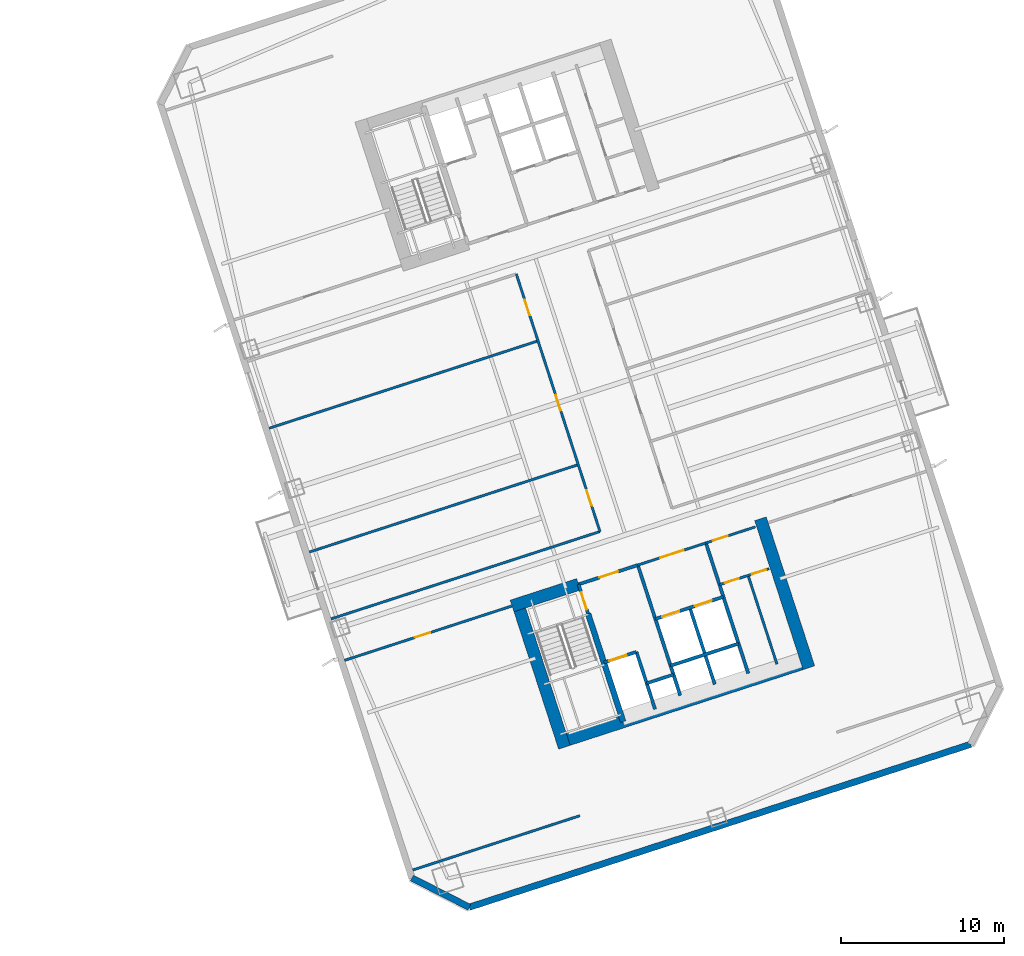
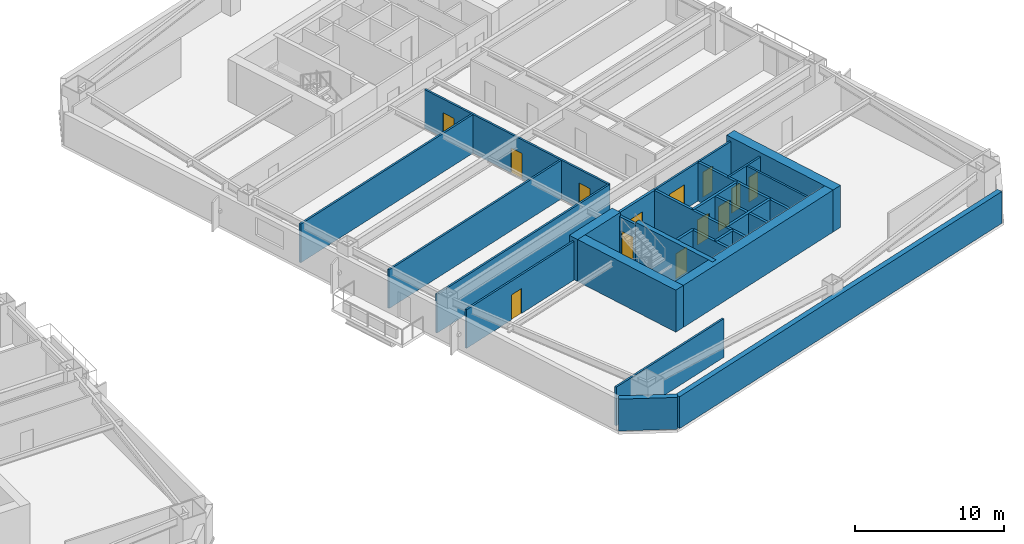
# One storey, part 7 of 18: 27 walls, 13 doors, 13 openings.
"""IFC4 building model written with IfcOpenShell, lengths in metres."""

from ifc_helpers import new_model, si_unit, direction, frame, frame_2d, origin, place, context, subcontext, project, spatial, rectangle, extrude, material, layer, layer_set, type_object, element, fill, save


model = new_model("IFC4")

# Units and contexts
model_context = context("Model", 3, precision=1e-05, world=origin(), true_north=direction((0.0, 1.0)))
body_context = subcontext(model_context, "Body", "Model", "MODEL_VIEW")
ifc_project = project(units=[si_unit("LENGTHUNIT", "METRE"), si_unit("AREAUNIT", "SQUARE_METRE"), si_unit("VOLUMEUNIT", "CUBIC_METRE"), si_unit("PLANEANGLEUNIT", "RADIAN"), si_unit("MASSUNIT", "GRAM", prefix="KILO")], contexts=[model_context])

# Site, building, storey
site_placement = place(None, origin())
site = spatial("IfcSite", under=ifc_project, at=site_placement, CompositionType="ELEMENT")
building_placement = place(site_placement, origin())
building = spatial("IfcBuilding", under=site, at=building_placement, Name="Qiaolan Cultural Towers", CompositionType="ELEMENT")
storey_placement = place(building_placement, frame((0.0, 0.0, 67.85009765625)))
storey = spatial("IfcBuildingStorey", under=building, at=storey_placement, Name="L16", CompositionType="ELEMENT", Elevation=67.85009765625)

# Walls
ifc_material_1 = material(Name="Concrete C50", Category="concrete")
ifc_layer_1 = layer(ifc_material_1, 0.35009765625)
ifc_layer_set_1 = layer_set([ifc_layer_1], Name="Concrete C50")
wall_type_1 = type_object("IfcWallType", Name="WL-CORE-350", PredefinedType="SHEAR", material=ifc_layer_set_1)
wall_1_placement = place(storey_placement, frame((90.486328125, 20.59423828125, 0.0), z_axis=(0.0, 0.0, 1.0), x_axis=(0.309020428229, -0.951055400562, 0.0)))
element("IfcWall", 1, at=wall_1_placement, inside=storey, type_object=wall_type_1, Name="L16 T2-CS Stair Core Dividing Web", PredefinedType="SHEAR", context=body_context, shape_type="SweptSolid", body=[
    extrude(rectangle(XDim=6.97998046875, YDim=0.35009765625, at=frame_2d((3.489990234375, 0.0))), origin(), (0.0, 0.0, 1.0), 3.449951171875),
])
ifc_material_2 = material(Name="Concrete C60", Category="concrete")
ifc_layer_2 = layer(ifc_material_2, 0.75)
ifc_layer_set_2 = layer_set([ifc_layer_2], Name="Concrete C60")
wall_type_2 = type_object("IfcWallType", Name="WL-CORE-750", PredefinedType="SHEAR", material=ifc_layer_set_2)
wall_2_placement = place(storey_placement, frame((88.55859375, 12.628662109375, 0.0), z_axis=(0.0, 0.0, 1.0), x_axis=(0.951056072937, 0.309018358888, 0.0)))
element("IfcWall", 2, at=wall_2_placement, inside=storey, type_object=wall_type_2, Name="L16 T2-CS Outer Core Shear Wall", PredefinedType="SHEAR", context=body_context, shape_type="SweptSolid", body=[
    extrude(rectangle(XDim=16.550048828125, YDim=0.75, at=frame_2d((8.27490234375, 0.0))), origin(), (0.0, 0.0, 1.0), 3.449951171875),
])
wall_3_placement = place(storey_placement, frame((86.05517578125, 21.54638671875, 0.0), z_axis=(0.0, 0.0, 1.0), x_axis=(0.309023585745, -0.951054374604, 0.0)))
element("IfcWall", 3, at=wall_3_placement, inside=storey, type_object=wall_type_2, Name="L16 T2-CS West Core Shear Wall", PredefinedType="SHEAR", context=body_context, shape_type="SweptSolid", body=[
    extrude(rectangle(XDim=9.6298828125, YDim=0.75, at=frame_2d((4.81494140625, 0.0))), origin(), (0.0, 0.0, 1.0), 3.449951171875),
])
wall_4_placement = place(storey_placement, frame((101.08203125, 26.428955078125, 0.0), z_axis=(0.0, 0.0, 1.0), x_axis=(0.309016134813, -0.951056795583, 0.0)))
element("IfcWall", 4, at=wall_4_placement, inside=storey, type_object=wall_type_2, Name="L16 T2-CS East Core Shear Wall", PredefinedType="SHEAR", context=body_context, shape_type="SweptSolid", body=[
    extrude(rectangle(XDim=9.630126953125, YDim=0.75, at=frame_2d((4.81494140625, 0.0))), origin(), (0.0, 0.0, 1.0), 3.449951171875),
])
wall_5_placement = place(storey_placement, frame((85.814453125, 21.073974609375, 0.0), z_axis=(0.0, 0.0, 1.0), x_axis=(0.95106580992, 0.308988390074, 0.0)))
element("IfcWall", 5, at=wall_5_placement, inside=storey, type_object=wall_type_2, Name="L16 T2-CS Stair Front Shear Wall", PredefinedType="SHEAR", context=body_context, shape_type="SweptSolid", body=[
    extrude(rectangle(XDim=4.295166015625, YDim=0.75, at=frame_2d((2.1474609375, 0.0))), origin(), (0.0, 0.0, 1.0), 3.449951171875),
])
ifc_material_3 = material(Name="Precast Concrete C50 Honed Stone Pier", Category="masonry")
ifc_layer_3 = layer(ifc_material_3, 0.39990234375)
ifc_layer_set_3 = layer_set([ifc_layer_3], Name="Precast Concrete C50 Honed Stone Pier")
wall_type_3 = type_object("IfcWallType", Name="WL-EXT-PIER-400", PredefinedType="SOLIDWALL", material=ifc_layer_set_3)
wall_6_placement = place(storey_placement, frame((113.997802734375, 12.566650390625, 0.0), z_axis=(0.0, 0.0, 1.0), x_axis=(-0.951055939317, -0.309018770125, 0.0)))
element("IfcWall", 6, at=wall_6_placement, inside=storey, type_object=wall_type_3, Name="L16 East Tower Precast Pier Facade Wall F7", PredefinedType="SOLIDWALL", context=body_context, shape_type="SweptSolid", body=[
    extrude(rectangle(XDim=32.39990234375, YDim=0.39990234375, at=frame_2d((16.199951171875, 0.0))), origin(), (0.0, 0.0, 1.0), 2.60986328125),
])
wall_7_placement = place(storey_placement, frame((83.18359375, 2.554443359375, 0.0), z_axis=(0.0, 0.0, 1.0), x_axis=(-0.890998089617, 0.454007053137, 0.0)))
element("IfcWall", 7, at=wall_7_placement, inside=storey, type_object=wall_type_3, Name="L16 East Tower Precast Pier Facade Wall F8", PredefinedType="SOLIDWALL", context=body_context, shape_type="SweptSolid", body=[
    extrude(rectangle(XDim=3.9599609375, YDim=0.39990234375, at=frame_2d((1.97998046875, 0.0))), origin(), (0.0, 0.0, 1.0), 2.60986328125),
])

# Wall, opening, door
ifc_material_4 = material(Name="Concrete C35 Fire Wall", Category="concrete")
ifc_layer_4 = layer(ifc_material_4, 0.199951171875)
ifc_layer_set_4 = layer_set([ifc_layer_4], Name="Concrete C35 Fire Wall")
wall_type_4 = type_object("IfcWallType", Name="WL-FIRE-200", PredefinedType="PARTITIONING", material=ifc_layer_set_4)
wall_8_placement = place(storey_placement, frame((89.8994140625, 22.401123046875, 0.0), z_axis=(0.0, 0.0, 1.0), x_axis=(0.308932062672, -0.951084108086, 0.0)))
wall_8 = element("IfcWall", 8, at=wall_8_placement, inside=storey, type_object=wall_type_4, Name="L16 T2-CS Smokeproof Stair Entry Wall", PredefinedType="PARTITIONING", context=body_context, shape_type="SweptSolid", body=[
    extrude(rectangle(XDim=1.89990234375, YDim=0.199951171875, at=frame_2d((0.949951171875, 0.0))), origin(), (0.0, 0.0, 1.0), 3.1748046875),
])
opening_1_placement = place(wall_8_placement, frame((0.52001953125, 0.0, 0.0)))
opening_1 = element("IfcOpeningElement", 9, at=opening_1_placement, cuts=wall_8, Name="Opening FD-04", PredefinedType="OPENING", context=body_context, shape_type="SweptSolid", body=[
    extrude(rectangle(XDim=1.10009765625, YDim=2.050048828125, at=frame_2d((0.550048828125, 1.02490234375))), frame((0.0, 0.10986328125, 0.0), z_axis=(0.0, -1.0, 0.0), x_axis=(1.0, 0.0, 0.0)), (0.0, 0.0, 1.0), 0.219970703125),
])
ifc_material_5 = material(Name="Galvanized Steel Command Fire Door", Category="steel")
door_type_1 = type_object("IfcDoorType", Name="DR-FD90-1100", OperationType="NOTDEFINED", PredefinedType="DOOR", material=ifc_material_5)
door_1_placement = place(opening_1_placement, origin())
door_1 = element("IfcDoor", 10, at=door_1_placement, inside=storey, type_object=door_type_1, Name="L16 ST-E1 Smokeproof Stair Fire Door", OperationType="SINGLE_SWING_LEFT", OverallHeight=2.050048828125, OverallWidth=1.10009765625, PredefinedType="DOOR", context=body_context, shape_type="SweptSolid", body=[
    extrude(rectangle(XDim=1.10009765625, YDim=2.050048828125, at=frame_2d((0.550048828125, 1.02490234375))), frame((0.0, 0.02490234375, 0.0), z_axis=(0.0, -1.0, 0.0), x_axis=(1.0, 0.0, 0.0)), (0.0, 0.0, 1.0), 0.050048828125),
])
fill(opening_1, door_1)

# Wall
wall_9_placement = place(storey_placement, frame((93.541748046875, 23.584716796875, 0.0), z_axis=(0.0, 0.0, 1.0), x_axis=(0.309042196757, -0.951048327176, 0.0)))
element("IfcWall", 11, at=wall_9_placement, inside=storey, type_object=wall_type_4, Name="L16 T2-CS Firefighting Zone Wall", PredefinedType="PARTITIONING", context=body_context, shape_type="SweptSolid", body=[
    extrude(rectangle(XDim=8.429931640625, YDim=0.199951171875, at=frame_2d((4.21484375, 0.0))), origin(), (0.0, 0.0, 1.0), 3.1748046875),
])

# Wall, opening, door
wall_10_placement = place(storey_placement, frame((89.8994140625, 22.401123046875, 0.0), z_axis=(0.0, 0.0, 1.0), x_axis=(0.951046716504, 0.309047153403, 0.0)))
wall_10 = element("IfcWall", 12, at=wall_10_placement, inside=storey, type_object=wall_type_4, Name="L16 T2-CS Firefighting Lobby Front Wall", PredefinedType="PARTITIONING", context=body_context, shape_type="SweptSolid", body=[
    extrude(rectangle(XDim=3.829833984375, YDim=0.199951171875, at=frame_2d((1.9150390625, 0.0))), origin(), (0.0, 0.0, 1.0), 3.1748046875),
])
opening_2_placement = place(wall_10_placement, frame((1.35009765625, 0.0, 0.0)))
opening_2 = element("IfcOpeningElement", 13, at=opening_2_placement, cuts=wall_10, Name="Opening FD-03", PredefinedType="OPENING", context=body_context, shape_type="SweptSolid", body=[
    extrude(rectangle(XDim=1.199951171875, YDim=2.050048828125, at=frame_2d((0.60009765625, 1.02490234375))), frame((0.0, 0.10986328125, 0.0), z_axis=(0.0, -1.0, 0.0), x_axis=(1.0, 0.0, 0.0)), (0.0, 0.0, 1.0), 0.219970703125),
])
ifc_material_6 = material(Name="Galvanized Steel Smokeproof Lobby Fire Door", Category="steel")
door_type_2 = type_object("IfcDoorType", Name="DR-FD90-1200", OperationType="NOTDEFINED", PredefinedType="DOOR", material=ifc_material_6)
door_2_placement = place(opening_2_placement, origin())
door_2 = element("IfcDoor", 14, at=door_2_placement, inside=storey, type_object=door_type_2, Name="L16 FFL-E1 Firefighting Lobby Fire Door", OperationType="SINGLE_SWING_LEFT", OverallHeight=2.050048828125, OverallWidth=1.199951171875, PredefinedType="DOOR", context=body_context, shape_type="SweptSolid", body=[
    extrude(rectangle(XDim=1.199951171875, YDim=2.050048828125, at=frame_2d((0.60009765625, 1.02490234375))), frame((0.0, 0.02490234375, 0.0), z_axis=(0.0, -1.0, 0.0), x_axis=(1.0, 0.0, 0.0)), (0.0, 0.0, 1.0), 0.050048828125),
])
fill(opening_2, door_2)

wall_11_placement = place(storey_placement, frame((91.459716796875, 17.598388671875, 0.0), z_axis=(0.0, 0.0, 1.0), x_axis=(0.951062257173, 0.308999325213, 0.0)))
wall_11 = element("IfcWall", 15, at=wall_11_placement, inside=storey, type_object=wall_type_4, Name="L16 T2-CS Firefighting Shaft Front Wall", PredefinedType="PARTITIONING", context=body_context, shape_type="SweptSolid", body=[
    extrude(rectangle(XDim=2.10009765625, YDim=0.199951171875, at=frame_2d((1.050048828125, 0.0))), origin(), (0.0, 0.0, 1.0), 3.1748046875),
])
opening_3_placement = place(wall_11_placement, frame((0.35009765625, 0.0, 0.0)))
opening_3 = element("IfcOpeningElement", 16, at=opening_3_placement, cuts=wall_11, Name="Opening LD-01", PredefinedType="OPENING", context=body_context, shape_type="SweptSolid", body=[
    extrude(rectangle(XDim=1.10009765625, YDim=2.050048828125, at=frame_2d((0.550048828125, 1.02490234375))), frame((0.0, 0.10986328125, 0.0), z_axis=(0.0, -1.0, 0.0), x_axis=(1.0, 0.0, 0.0)), (0.0, 0.0, 1.0), 0.219970703125),
])
ifc_material_7 = material(Name="Brushed Stainless Steel S30408 Centre-Parting Lift Landing Door", Category="steel")
door_type_3 = type_object("IfcDoorType", Name="DR-LIFT-1100", OperationType="NOTDEFINED", PredefinedType="DOOR", material=ifc_material_7)
door_3_placement = place(opening_3_placement, origin())
door_3 = element("IfcDoor", 17, at=door_3_placement, inside=storey, type_object=door_type_3, Name="L16 FFL-E1 Firefighting Lift Landing Door", OperationType="DOUBLE_DOOR_SLIDING", OverallHeight=2.050048828125, OverallWidth=1.10009765625, PredefinedType="DOOR", context=body_context, shape_type="SweptSolid", body=[
    extrude(rectangle(XDim=1.10009765625, YDim=2.050048828125, at=frame_2d((0.550048828125, 1.02490234375))), frame((0.0, 0.02490234375, 0.0), z_axis=(0.0, -1.0, 0.0), x_axis=(1.0, 0.0, 0.0)), (0.0, 0.0, 1.0), 0.050048828125),
])
fill(opening_3, door_3)

# Walls
wall_12_placement = place(storey_placement, frame((93.45703125, 18.247314453125, 0.0), z_axis=(0.0, 0.0, 1.0), x_axis=(0.3089935693, -0.951064127245, 0.0)))
element("IfcWall", 18, at=wall_12_placement, inside=storey, type_object=wall_type_4, Name="L16 T2-CS Firefighting Hoistway East Wall", PredefinedType="PARTITIONING", context=body_context, shape_type="SweptSolid", body=[
    extrude(rectangle(XDim=3.7001953125, YDim=0.199951171875, at=frame_2d((1.85009765625, 0.0))), origin(), (0.0, 0.0, 1.0), 3.1748046875),
])
wall_13_placement = place(storey_placement, frame((94.08447265625, 16.316650390625, 0.0), z_axis=(0.0, 0.0, 1.0), x_axis=(0.951041328149, 0.309063734775, 0.0)))
element("IfcWall", 19, at=wall_13_placement, inside=storey, type_object=wall_type_4, Name="L16 T2-CS Pressurization Shaft Front Wall", PredefinedType="PARTITIONING", context=body_context, shape_type="SweptSolid", body=[
    extrude(rectangle(XDim=1.72998046875, YDim=0.199951171875, at=frame_2d((0.864990234375, 0.0))), origin(), (0.0, 0.0, 1.0), 3.1748046875),
])
wall_14_placement = place(storey_placement, frame((97.7265625, 24.9443359375, 0.0), z_axis=(0.0, 0.0, 1.0), x_axis=(0.309016001439, -0.951056838919, 0.0)))
element("IfcWall", 20, at=wall_14_placement, inside=storey, type_object=wall_type_4, Name="L16 T2-CS Lift Core East Wall", PredefinedType="PARTITIONING", context=body_context, shape_type="SweptSolid", body=[
    extrude(rectangle(XDim=8.429931640625, YDim=0.199951171875, at=frame_2d((4.21484375, 0.0))), origin(), (0.0, 0.0, 1.0), 3.1748046875),
])

# Wall, openings, doors
wall_15_placement = place(storey_placement, frame((94.6171875, 20.275146484375, 0.0), z_axis=(0.0, 0.0, 1.0), x_axis=(0.951058531764, 0.30901079133, 0.0)))
wall_15 = element("IfcWall", 21, at=wall_15_placement, inside=storey, type_object=wall_type_4, Name="L16 T2-CS Passenger Lift Shaft Front Wall", PredefinedType="PARTITIONING", context=body_context, shape_type="SweptSolid", body=[
    extrude(rectangle(XDim=4.39990234375, YDim=0.199951171875, at=frame_2d((2.199951171875, 0.0))), origin(), (0.0, 0.0, 1.0), 3.1748046875),
])
opening_4_placement = place(wall_15_placement, frame((0.449951171875, 0.0, 0.0)))
opening_4 = element("IfcOpeningElement", 22, at=opening_4_placement, cuts=wall_15, Name="Opening LD-01", PredefinedType="OPENING", context=body_context, shape_type="SweptSolid", body=[
    extrude(rectangle(XDim=1.10009765625, YDim=2.050048828125, at=frame_2d((0.550048828125, 1.02490234375))), frame((0.0, 0.10986328125, 0.0), z_axis=(0.0, -1.0, 0.0), x_axis=(1.0, 0.0, 0.0)), (0.0, 0.0, 1.0), 0.219970703125),
])
opening_5_placement = place(wall_15_placement, frame((2.550048828125, 0.0, 0.0)))
opening_5 = element("IfcOpeningElement", 23, at=opening_5_placement, cuts=wall_15, Name="Opening LD-01", PredefinedType="OPENING", context=body_context, shape_type="SweptSolid", body=[
    extrude(rectangle(XDim=1.10009765625, YDim=2.050048828125, at=frame_2d((0.550048828125, 1.02490234375))), frame((0.0, 0.10986328125, 0.0), z_axis=(0.0, -1.0, 0.0), x_axis=(1.0, 0.0, 0.0)), (0.0, 0.0, 1.0), 0.219970703125),
])
door_4_placement = place(opening_4_placement, origin())
door_4 = element("IfcDoor", 24, at=door_4_placement, inside=storey, type_object=door_type_3, Name="L16 Passenger Lift 1 Landing Door", OperationType="DOUBLE_DOOR_SLIDING", OverallHeight=2.050048828125, OverallWidth=1.10009765625, PredefinedType="DOOR", context=body_context, shape_type="SweptSolid", body=[
    extrude(rectangle(XDim=1.10009765625, YDim=2.050048828125, at=frame_2d((0.550048828125, 1.02490234375))), frame((0.0, 0.02490234375, 0.0), z_axis=(0.0, -1.0, 0.0), x_axis=(1.0, 0.0, 0.0)), (0.0, 0.0, 1.0), 0.050048828125),
])
fill(opening_4, door_4)
door_5_placement = place(opening_5_placement, origin())
door_5 = element("IfcDoor", 25, at=door_5_placement, inside=storey, type_object=door_type_3, Name="L16 Passenger Lift 2 Landing Door", OperationType="DOUBLE_DOOR_SLIDING", OverallHeight=2.050048828125, OverallWidth=1.10009765625, PredefinedType="DOOR", context=body_context, shape_type="SweptSolid", body=[
    extrude(rectangle(XDim=1.10009765625, YDim=2.050048828125, at=frame_2d((0.550048828125, 1.02490234375))), frame((0.0, 0.02490234375, 0.0), z_axis=(0.0, -1.0, 0.0), x_axis=(1.0, 0.0, 0.0)), (0.0, 0.0, 1.0), 0.050048828125),
])
fill(opening_5, door_5)

# Walls
wall_16_placement = place(storey_placement, frame((96.738037109375, 20.964111328125, 0.0), z_axis=(0.0, 0.0, 1.0), x_axis=(0.309042578481, -0.951048203135, 0.0)))
element("IfcWall", 26, at=wall_16_placement, inside=storey, type_object=wall_type_4, Name="L16 T2-CS Lift Shaft Divider Wall", PredefinedType="PARTITIONING", context=body_context, shape_type="SweptSolid", body=[
    extrude(rectangle(XDim=4.9501953125, YDim=0.199951171875, at=frame_2d((2.47509765625, 0.0))), origin(), (0.0, 0.0, 1.0), 3.1748046875),
])
wall_17_placement = place(storey_placement, frame((95.550537109375, 17.40283203125, 0.0), z_axis=(0.0, 0.0, 1.0), x_axis=(0.951058531764, 0.30901079133, 0.0)))
element("IfcWall", 27, at=wall_17_placement, inside=storey, type_object=wall_type_4, Name="L16 T2-CS Passenger Lift Shaft Back Wall", PredefinedType="PARTITIONING", context=body_context, shape_type="SweptSolid", body=[
    extrude(rectangle(XDim=4.39990234375, YDim=0.199951171875, at=frame_2d((2.199951171875, 0.0))), origin(), (0.0, 0.0, 1.0), 3.1748046875),
])

# Wall, opening, door
ifc_material_8 = material(Name="Autoclaved Aerated Concrete Block B06", Category="concrete")
ifc_layer_5 = layer(ifc_material_8, 0.14990234375)
ifc_layer_set_5 = layer_set([ifc_layer_5], Name="Autoclaved Aerated Concrete Block B06")
wall_type_5 = type_object("IfcWallType", Name="WL-PART-150", PredefinedType="PARTITIONING", material=ifc_layer_set_5)
wall_18_placement = place(storey_placement, frame((93.541748046875, 23.584716796875, 0.0), z_axis=(0.0, 0.0, 1.0), x_axis=(0.951063829732, 0.308994485023, 0.0)))
wall_18 = element("IfcWall", 28, at=wall_18_placement, inside=storey, type_object=wall_type_5, Name="L16 T2-CS Passenger Lift Lobby Front Wall", PredefinedType="PARTITIONING", context=body_context, shape_type="SweptSolid", body=[
    extrude(rectangle(XDim=4.400146484375, YDim=0.14990234375, at=frame_2d((2.2001953125, 0.0))), origin(), (0.0, 0.0, 1.0), 3.1748046875),
])
opening_6_placement = place(wall_18_placement, frame((1.449951171875, 0.0, 0.0)))
opening_6 = element("IfcOpeningElement", 29, at=opening_6_placement, cuts=wall_18, Name="Opening FD-05", PredefinedType="OPENING", context=body_context, shape_type="SweptSolid", body=[
    extrude(rectangle(XDim=1.5, YDim=2.050048828125, at=frame_2d((0.75, 1.02490234375))), frame((0.0, 0.0849609375, 0.0), z_axis=(0.0, -1.0, 0.0), x_axis=(1.0, 0.0, 0.0)), (0.0, 0.0, 1.0), 0.169921875),
])
ifc_material_9 = material(Name="Painted Steel Lift Lobby Fire Door", Category="steel")
door_type_4 = type_object("IfcDoorType", Name="DR-FD60-1500", OperationType="NOTDEFINED", PredefinedType="DOOR", material=ifc_material_9)
door_6_placement = place(opening_6_placement, origin())
door_6 = element("IfcDoor", 30, at=door_6_placement, inside=storey, type_object=door_type_4, Name="L16 Passenger Lift Lobby Entrance", OperationType="SINGLE_SWING_LEFT", OverallHeight=2.050048828125, OverallWidth=1.5, PredefinedType="DOOR", context=body_context, shape_type="SweptSolid", body=[
    extrude(rectangle(XDim=1.5, YDim=2.050048828125, at=frame_2d((0.75, 1.02490234375))), frame((0.0, 0.02490234375, 0.0), z_axis=(0.0, -1.0, 0.0), x_axis=(1.0, 0.0, 0.0)), (0.0, 0.0, 1.0), 0.050048828125),
])
fill(opening_6, door_6)

wall_19_placement = place(storey_placement, frame((97.7265625, 24.9443359375, 0.0), z_axis=(0.0, 0.0, 1.0), x_axis=(0.951036872128, 0.309077446369, 0.0)))
wall_19 = element("IfcWall", 31, at=wall_19_placement, inside=storey, type_object=wall_type_5, Name="L16 T2-CS Sanitary Core Front Wall", PredefinedType="PARTITIONING", context=body_context, shape_type="SweptSolid", body=[
    extrude(rectangle(XDim=3.199951171875, YDim=0.14990234375, at=frame_2d((1.60009765625, 0.0))), origin(), (0.0, 0.0, 1.0), 3.1748046875),
])
opening_7_placement = place(wall_19_placement, frame((0.449951171875, 0.0, 0.0)))
opening_7 = element("IfcOpeningElement", 32, at=opening_7_placement, cuts=wall_19, Name="Opening ID-05", PredefinedType="OPENING", context=body_context, shape_type="SweptSolid", body=[
    extrude(rectangle(XDim=0.949951171875, YDim=2.050048828125, at=frame_2d((0.47509765625, 1.02490234375))), frame((0.0, 0.0849609375, 0.0), z_axis=(0.0, -1.0, 0.0), x_axis=(1.0, 0.0, 0.0)), (0.0, 0.0, 1.0), 0.169921875),
])
ifc_material_10 = material(Name="Fire-Rated Laminate Accessible Core Door", Category="timber")
door_type_5 = type_object("IfcDoorType", Name="DR-INT-950", OperationType="NOTDEFINED", PredefinedType="DOOR", material=ifc_material_10)
door_7_placement = place(opening_7_placement, origin())
door_7 = element("IfcDoor", 33, at=door_7_placement, inside=storey, type_object=door_type_5, Name="L16 Sanitary Vestibule Door", OperationType="SINGLE_SWING_LEFT", OverallHeight=2.050048828125, OverallWidth=0.949951171875, PredefinedType="DOOR", context=body_context, shape_type="SweptSolid", body=[
    extrude(rectangle(XDim=0.949951171875, YDim=2.050048828125, at=frame_2d((0.47509765625, 1.02490234375))), frame((0.0, 0.02490234375, 0.0), z_axis=(0.0, -1.0, 0.0), x_axis=(1.0, 0.0, 0.0)), (0.0, 0.0, 1.0), 0.050048828125),
])
fill(opening_7, door_7)

# Wall, openings, doors
wall_20_placement = place(storey_placement, frame((98.560791015625, 22.37646484375, 0.0), z_axis=(0.0, 0.0, 1.0), x_axis=(0.95104415986, 0.309055020985, 0.0)))
wall_20 = element("IfcWall", 34, at=wall_20_placement, inside=storey, type_object=wall_type_5, Name="L16 T2-CS Restroom Vestibule Wall", PredefinedType="PARTITIONING", context=body_context, shape_type="SweptSolid", body=[
    extrude(rectangle(XDim=3.2001953125, YDim=0.14990234375, at=frame_2d((1.60009765625, 0.0))), origin(), (0.0, 0.0, 1.0), 3.1748046875),
])
opening_8_placement = place(wall_20_placement, frame((0.35009765625, 0.0, 0.0)))
opening_8 = element("IfcOpeningElement", 35, at=opening_8_placement, cuts=wall_20, Name="Opening ID-06", PredefinedType="OPENING", context=body_context, shape_type="SweptSolid", body=[
    extrude(rectangle(XDim=0.89990234375, YDim=2.050048828125, at=frame_2d((0.449951171875, 1.02490234375))), frame((0.0, 0.0849609375, 0.0), z_axis=(0.0, -1.0, 0.0), x_axis=(1.0, 0.0, 0.0)), (0.0, 0.0, 1.0), 0.169921875),
])
opening_9_placement = place(wall_20_placement, frame((2.10009765625, 0.0, 0.0)))
opening_9 = element("IfcOpeningElement", 36, at=opening_9_placement, cuts=wall_20, Name="Opening ID-06", PredefinedType="OPENING", context=body_context, shape_type="SweptSolid", body=[
    extrude(rectangle(XDim=0.89990234375, YDim=2.050048828125, at=frame_2d((0.449951171875, 1.02490234375))), frame((0.0, 0.0849609375, 0.0), z_axis=(0.0, -1.0, 0.0), x_axis=(1.0, 0.0, 0.0)), (0.0, 0.0, 1.0), 0.169921875),
])
ifc_material_11 = material(Name="Fire-Rated Laminate Core Service Door", Category="timber")
door_type_6 = type_object("IfcDoorType", Name="DR-INT-900", OperationType="NOTDEFINED", PredefinedType="DOOR", material=ifc_material_11)
door_8_placement = place(opening_8_placement, origin())
door_8 = element("IfcDoor", 37, at=door_8_placement, inside=storey, type_object=door_type_6, Name="L16 Men Restroom Door", OperationType="SINGLE_SWING_LEFT", OverallHeight=2.050048828125, OverallWidth=0.89990234375, PredefinedType="DOOR", context=body_context, shape_type="SweptSolid", body=[
    extrude(rectangle(XDim=0.89990234375, YDim=2.050048828125, at=frame_2d((0.449951171875, 1.02490234375))), frame((0.0, 0.02490234375, 0.0), z_axis=(0.0, -1.0, 0.0), x_axis=(1.0, 0.0, 0.0)), (0.0, 0.0, 1.0), 0.050048828125),
])
fill(opening_8, door_8)
door_9_placement = place(opening_9_placement, origin())
door_9 = element("IfcDoor", 38, at=door_9_placement, inside=storey, type_object=door_type_6, Name="L16 Accessible & Women Restroom Door", OperationType="SINGLE_SWING_RIGHT", OverallHeight=2.050048828125, OverallWidth=0.89990234375, PredefinedType="DOOR", context=body_context, shape_type="SweptSolid", body=[
    extrude(rectangle(XDim=0.89990234375, YDim=2.050048828125, at=frame_2d((0.449951171875, 1.02490234375))), frame((0.0, 0.02490234375, 0.0), z_axis=(0.0, -1.0, 0.0), x_axis=(1.0, 0.0, 0.0)), (0.0, 0.0, 1.0), 0.050048828125),
])
fill(opening_9, door_9)

# Walls
wall_21_placement = place(storey_placement, frame((100.3203125, 22.9482421875, 0.0), z_axis=(0.0, 0.0, 1.0), x_axis=(0.309035009867, -0.951050662518, 0.0)))
element("IfcWall", 39, at=wall_21_placement, inside=storey, type_object=wall_type_5, Name="L16 T2-CS Restroom Divider Wall", PredefinedType="PARTITIONING", context=body_context, shape_type="SweptSolid", body=[
    extrude(rectangle(XDim=5.72998046875, YDim=0.14990234375, at=frame_2d((2.864990234375, 0.0))), origin(), (0.0, 0.0, 1.0), 3.1748046875),
])
wall_22_placement = place(storey_placement, frame((79.70654296875, 4.842041015625, 0.0), z_axis=(0.0, 0.0, 1.0), x_axis=(0.951056658866, 0.309016555588, 0.0)))
element("IfcWall", 40, at=wall_22_placement, inside=storey, type_object=wall_type_5, Name="L16 T2 Flank Wall FLK-SW", PredefinedType="PARTITIONING", context=body_context, shape_type="SweptSolid", body=[
    extrude(rectangle(XDim=10.800048828125, YDim=0.14990234375, at=frame_2d((5.39990234375, 0.0))), origin(), (0.0, 0.0, 1.0), 3.1748046875),
])

# Wall, opening, door
wall_23_placement = place(storey_placement, frame((75.519287109375, 17.728759765625, 0.0), z_axis=(0.0, 0.0, 1.0), x_axis=(0.951056658866, 0.309016555588, 0.0)))
wall_23 = element("IfcWall", 41, at=wall_23_placement, inside=storey, type_object=wall_type_5, Name="L16 T2 Flank Front FLK-SW", PredefinedType="PARTITIONING", context=body_context, shape_type="SweptSolid", body=[
    extrude(rectangle(XDim=10.800048828125, YDim=0.14990234375, at=frame_2d((5.39990234375, 0.0))), origin(), (0.0, 0.0, 1.0), 3.1748046875),
])
opening_10_placement = place(wall_23_placement, frame((4.535888671875, 0.0, 0.0)))
opening_10 = element("IfcOpeningElement", 42, at=opening_10_placement, cuts=wall_23, Name="Opening ID-04", PredefinedType="OPENING", context=body_context, shape_type="SweptSolid", body=[
    extrude(rectangle(XDim=1.0, YDim=2.050048828125, at=frame_2d((0.5, 1.02490234375))), frame((0.0, 0.0849609375, 0.0), z_axis=(0.0, -1.0, 0.0), x_axis=(1.0, 0.0, 0.0)), (0.0, 0.0, 1.0), 0.169921875),
])
ifc_material_12 = material(Name="Oak Veneer Acoustic Office Door", Category="timber")
door_type_7 = type_object("IfcDoorType", Name="DR-INT-1000", OperationType="NOTDEFINED", PredefinedType="DOOR", material=ifc_material_12)
door_10_placement = place(opening_10_placement, origin())
door_10 = element("IfcDoor", 43, at=door_10_placement, inside=storey, type_object=door_type_7, Name="L16 T2 Corner Studio Door", OperationType="SINGLE_SWING_LEFT", OverallHeight=2.050048828125, OverallWidth=1.0, PredefinedType="DOOR", context=body_context, shape_type="SweptSolid", body=[
    extrude(rectangle(XDim=1.0, YDim=2.050048828125, at=frame_2d((0.5, 1.02490234375))), frame((0.0, 0.02490234375, 0.0), z_axis=(0.0, -1.0, 0.0), x_axis=(1.0, 0.0, 0.0)), (0.0, 0.0, 1.0), 0.050048828125),
])
fill(opening_10, door_10)

# Wall
wall_24_placement = place(storey_placement, frame((74.691162109375, 20.277587890625, 0.0), z_axis=(0.0, 0.0, 1.0), x_axis=(0.951053169828, 0.309027293551, 0.0)))
element("IfcWall", 44, at=wall_24_placement, inside=storey, type_object=wall_type_5, Name="L16 T2 South Corridor Left Wall", PredefinedType="PARTITIONING", context=body_context, shape_type="SweptSolid", body=[
    extrude(rectangle(XDim=17.375, YDim=0.14990234375, at=frame_2d((8.6875, 0.0))), origin(), (0.0, 0.0, 1.0), 3.1748046875),
])

# Wall, openings, doors
wall_25_placement = place(storey_placement, frame((91.2158203125, 25.64697265625, 0.0), z_axis=(0.0, 0.0, 1.0), x_axis=(-0.309022042254, 0.951054876125, 0.0)))
wall_25 = element("IfcWall", 45, at=wall_25_placement, inside=storey, type_object=wall_type_5, Name="L16 T2 West Spine Wall", PredefinedType="PARTITIONING", context=body_context, shape_type="SweptSolid", body=[
    extrude(rectangle(XDim=16.639892578125, YDim=0.14990234375, at=frame_2d((8.31982421875, 0.0))), origin(), (0.0, 0.0, 1.0), 3.1748046875),
])
opening_11_placement = place(wall_25_placement, frame((1.659912109375, 0.0, 0.0)))
opening_11 = element("IfcOpeningElement", 46, at=opening_11_placement, cuts=wall_25, Name="Opening ID-04", PredefinedType="OPENING", context=body_context, shape_type="SweptSolid", body=[
    extrude(rectangle(XDim=1.0, YDim=2.050048828125, at=frame_2d((0.5, 1.02490234375))), frame((0.0, 0.0849609375, 0.0), z_axis=(0.0, -1.0, 0.0), x_axis=(1.0, 0.0, 0.0)), (0.0, 0.0, 1.0), 0.169921875),
])
opening_12_placement = place(wall_25_placement, frame((7.820068359375, 0.0, 0.0)))
opening_12 = element("IfcOpeningElement", 47, at=opening_12_placement, cuts=wall_25, Name="Opening ID-04", PredefinedType="OPENING", context=body_context, shape_type="SweptSolid", body=[
    extrude(rectangle(XDim=1.0, YDim=2.050048828125, at=frame_2d((0.5, 1.02490234375))), frame((0.0, 0.0849609375, 0.0), z_axis=(0.0, -1.0, 0.0), x_axis=(1.0, 0.0, 0.0)), (0.0, 0.0, 1.0), 0.169921875),
])
opening_13_placement = place(wall_25_placement, frame((13.97998046875, 0.0, 0.0)))
opening_13 = element("IfcOpeningElement", 48, at=opening_13_placement, cuts=wall_25, Name="Opening ID-04", PredefinedType="OPENING", context=body_context, shape_type="SweptSolid", body=[
    extrude(rectangle(XDim=1.0, YDim=2.050048828125, at=frame_2d((0.5, 1.02490234375))), frame((0.0, 0.0849609375, 0.0), z_axis=(0.0, -1.0, 0.0), x_axis=(1.0, 0.0, 0.0)), (0.0, 0.0, 1.0), 0.169921875),
])
door_11_placement = place(opening_11_placement, origin())
door_11 = element("IfcDoor", 49, at=door_11_placement, inside=storey, type_object=door_type_7, Name="L16 T2 Staff Dining Kitchen Door", OperationType="SINGLE_SWING_LEFT", OverallHeight=2.050048828125, OverallWidth=1.0, PredefinedType="DOOR", context=body_context, shape_type="SweptSolid", body=[
    extrude(rectangle(XDim=1.0, YDim=2.050048828125, at=frame_2d((0.5, 1.02490234375))), frame((0.0, 0.02490234375, 0.0), z_axis=(0.0, -1.0, 0.0), x_axis=(1.0, 0.0, 0.0)), (0.0, 0.0, 1.0), 0.050048828125),
])
fill(opening_11, door_11)
door_12_placement = place(opening_12_placement, origin())
door_12 = element("IfcDoor", 50, at=door_12_placement, inside=storey, type_object=door_type_7, Name="L16 T2 Staff Dining Kitchen Door", OperationType="SINGLE_SWING_RIGHT", OverallHeight=2.050048828125, OverallWidth=1.0, PredefinedType="DOOR", context=body_context, shape_type="SweptSolid", body=[
    extrude(rectangle(XDim=1.0, YDim=2.050048828125, at=frame_2d((0.5, 1.02490234375))), frame((0.0, 0.02490234375, 0.0), z_axis=(0.0, -1.0, 0.0), x_axis=(1.0, 0.0, 0.0)), (0.0, 0.0, 1.0), 0.050048828125),
])
fill(opening_12, door_12)
door_13_placement = place(opening_13_placement, origin())
door_13 = element("IfcDoor", 51, at=door_13_placement, inside=storey, type_object=door_type_7, Name="L16 T2 Staff Dining Kitchen Door", OperationType="SINGLE_SWING_LEFT", OverallHeight=2.050048828125, OverallWidth=1.0, PredefinedType="DOOR", context=body_context, shape_type="SweptSolid", body=[
    extrude(rectangle(XDim=1.0, YDim=2.050048828125, at=frame_2d((0.5, 1.02490234375))), frame((0.0, 0.02490234375, 0.0), z_axis=(0.0, -1.0, 0.0), x_axis=(1.0, 0.0, 0.0)), (0.0, 0.0, 1.0), 0.050048828125),
])
fill(opening_13, door_13)

# Walls
for number, where, z_axis, x_axis, name in (
    (52, (73.356201171875, 24.38623046875, 0.0), (0.0, 0.0, 1.0), (0.951057299418, 0.309014584159, 0.0), "L16 T2 West Partition 1"),
    (53, (70.884033203125, 31.99462890625, 0.0), (0.0, 0.0, 1.0), (0.951057299418, 0.309014584159, 0.0), "L16 T2 West Partition 2"),
):
    element("IfcWall", number, at=place(storey_placement, frame(where, z_axis=z_axis, x_axis=x_axis)), inside=storey, type_object=wall_type_5, Name=name, PredefinedType="PARTITIONING", context=body_context, shape_type="SweptSolid", body=[
        extrude(rectangle(XDim=17.375, YDim=0.14990234375, at=frame_2d((8.6875, 0.0))), origin(), (0.0, 0.0, 1.0), 3.1748046875),
    ])

save(model, "model.ifc")
